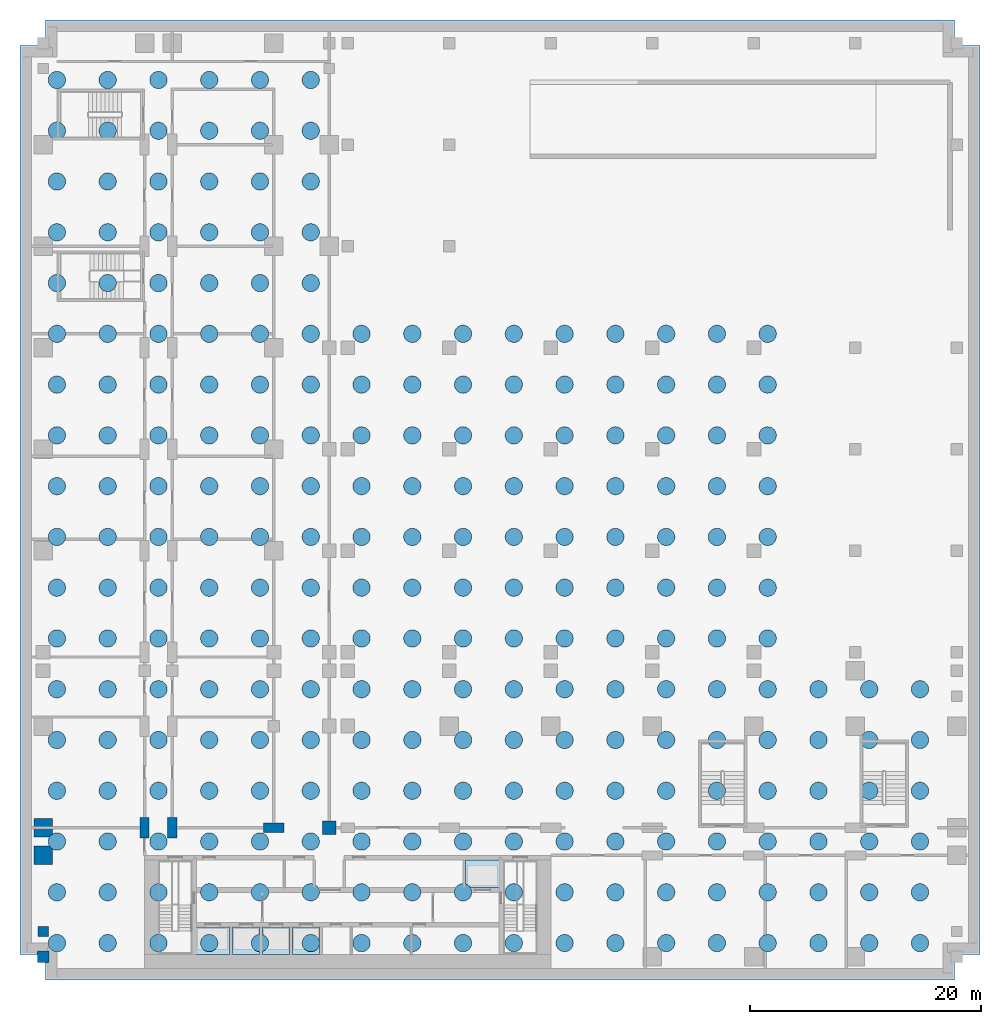
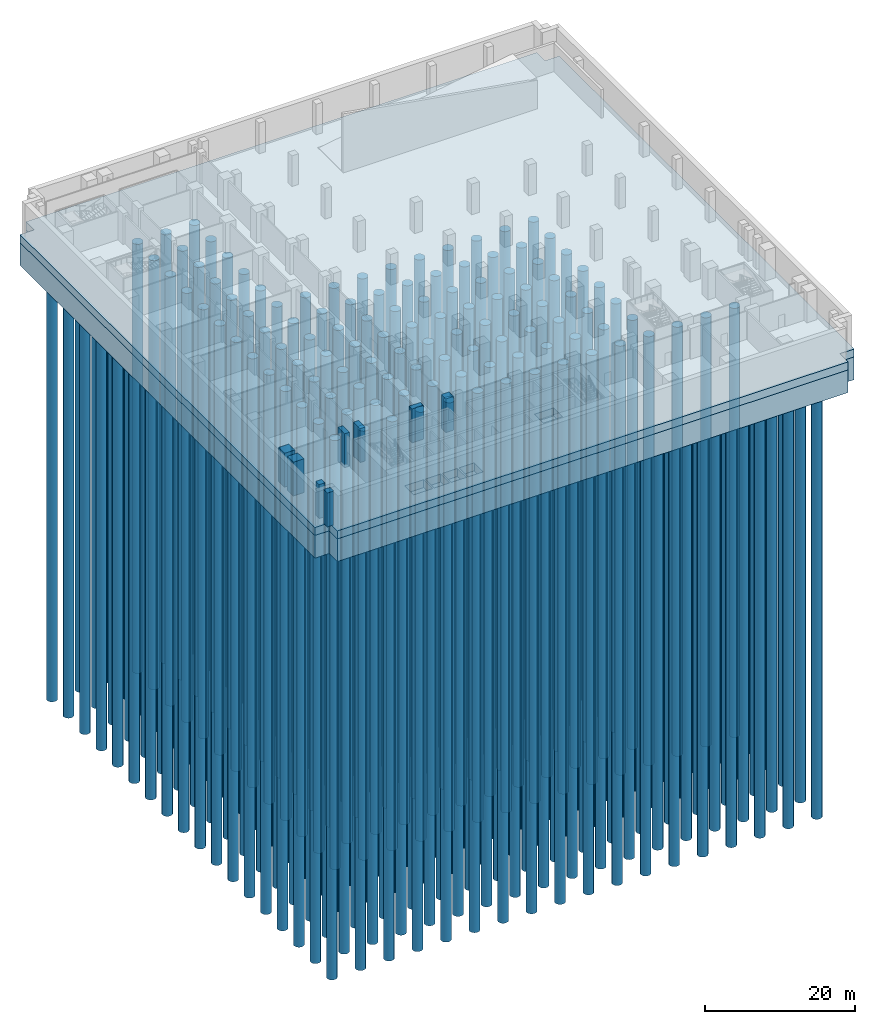
# One storey, part 1 of 14: 243 piles, 8 columns, 2 footings.
"""IFC4 building model written with IfcOpenShell, lengths in metres."""

from ifc_helpers import new_model, si_unit, direction, frame, origin, origin_2d, place, context, subcontext, project, spatial, polyline, rectangle, circle, outline, extrude, material, material_profile, profile_set, type_object, element, save


model = new_model("IFC4")

# Units and contexts
model_context = context("Model", 3, precision=1e-05, world=origin(), true_north=direction((0.0, 1.0)))
body_context = subcontext(model_context, "Body", "Model", "MODEL_VIEW")
ifc_project = project(units=[si_unit("LENGTHUNIT", "METRE"), si_unit("AREAUNIT", "SQUARE_METRE"), si_unit("VOLUMEUNIT", "CUBIC_METRE"), si_unit("PLANEANGLEUNIT", "RADIAN"), si_unit("MASSUNIT", "GRAM", prefix="KILO")], contexts=[model_context])

# Site, building, storey
site_placement = place(None, origin())
site = spatial("IfcSite", under=ifc_project, at=site_placement, CompositionType="ELEMENT")
building_placement = place(site_placement, origin())
building = spatial("IfcBuilding", under=site, at=building_placement, Name="Kemantara Hotel Tower", CompositionType="ELEMENT")
storey_placement = place(building_placement, frame((0.0, 0.0, -17.0)))
storey = spatial("IfcBuildingStorey", under=building, at=storey_placement, Name="B3", CompositionType="ELEMENT", Elevation=-17.0)

# Piles
ifc_material_1 = material(Name="Concrete fc 35 MPa", Category="concrete")
ifc_material_profile_1 = material_profile(ifc_material_1, circle(Radius=0.75, at=origin_2d()), Name="BORED PILE D1500")
ifc_profile_set_1 = profile_set([ifc_material_profile_1], Name="Concrete fc 35 MPa")
pile_type = type_object("IfcPileType", Name="BORED PILE D1500", PredefinedType="BORED", material=ifc_profile_set_1)
for number, where, z_axis, x_axis, name in (
    (1, (2.199951171875, 2.199951171875, -5.5), (0.0, 0.0, -1.0), (1.0, 0.0, 0.0), "BORED PILE 1"),
    (2, (2.199951171875, 6.60009765625, -5.5), (0.0, 0.0, -1.0), (1.0, 0.0, 0.0), "BORED PILE 2"),
    (3, (2.199951171875, 11.0, -5.5), (0.0, 0.0, -1.0), (1.0, 0.0, 0.0), "BORED PILE 3"),
    (4, (2.199951171875, 15.39990234375, -5.5), (0.0, 0.0, -1.0), (1.0, 0.0, 0.0), "BORED PILE 4"),
    (5, (2.199951171875, 19.800048828125, -5.5), (0.0, 0.0, -1.0), (1.0, 0.0, 0.0), "BORED PILE 5"),
    (6, (2.199951171875, 24.199951171875, -5.5), (0.0, 0.0, -1.0), (1.0, 0.0, 0.0), "BORED PILE 6"),
    (7, (2.199951171875, 28.60009765625, -5.5), (0.0, 0.0, -1.0), (1.0, 0.0, 0.0), "BORED PILE 7"),
    (8, (2.199951171875, 33.0, -5.5), (0.0, 0.0, -1.0), (1.0, 0.0, 0.0), "BORED PILE 8"),
    (9, (2.199951171875, 37.39990234375, -5.5), (0.0, 0.0, -1.0), (1.0, 0.0, 0.0), "BORED PILE 9"),
    (10, (2.199951171875, 41.800048828125, -5.5), (0.0, 0.0, -1.0), (1.0, 0.0, 0.0), "BORED PILE 10"),
    (11, (2.199951171875, 46.199951171875, -5.5), (0.0, 0.0, -1.0), (1.0, 0.0, 0.0), "BORED PILE 11"),
    (12, (2.199951171875, 50.60009765625, -5.5), (0.0, 0.0, -1.0), (1.0, 0.0, 0.0), "BORED PILE 12"),
    (13, (2.199951171875, 55.0, -5.5), (0.0, 0.0, -1.0), (1.0, 0.0, 0.0), "BORED PILE 13"),
    (14, (2.199951171875, 59.39990234375, -5.5), (0.0, 0.0, -1.0), (1.0, 0.0, 0.0), "BORED PILE 14"),
    (15, (2.199951171875, 63.800048828125, -5.5), (0.0, 0.0, -1.0), (1.0, 0.0, 0.0), "BORED PILE 15"),
    (16, (2.199951171875, 68.199951171875, -5.5), (0.0, 0.0, -1.0), (1.0, 0.0, 0.0), "BORED PILE 16"),
    (17, (2.199951171875, 72.60009765625, -5.5), (0.0, 0.0, -1.0), (1.0, 0.0, 0.0), "BORED PILE 17"),
    (18, (2.199951171875, 77.0, -5.5), (0.0, 0.0, -1.0), (1.0, 0.0, 0.0), "BORED PILE 18"),
    (19, (6.60009765625, 2.199951171875, -5.5), (0.0, 0.0, -1.0), (1.0, 0.0, 0.0), "BORED PILE 19"),
    (20, (6.60009765625, 6.60009765625, -5.5), (0.0, 0.0, -1.0), (1.0, 0.0, 0.0), "BORED PILE 20"),
    (21, (6.60009765625, 11.0, -5.5), (0.0, 0.0, -1.0), (1.0, 0.0, 0.0), "BORED PILE 21"),
    (22, (6.60009765625, 15.39990234375, -5.5), (0.0, 0.0, -1.0), (1.0, 0.0, 0.0), "BORED PILE 22"),
    (23, (6.60009765625, 19.800048828125, -5.5), (0.0, 0.0, -1.0), (1.0, 0.0, 0.0), "BORED PILE 23"),
    (24, (6.60009765625, 24.199951171875, -5.5), (0.0, 0.0, -1.0), (1.0, 0.0, 0.0), "BORED PILE 24"),
    (25, (6.60009765625, 28.60009765625, -5.5), (0.0, 0.0, -1.0), (1.0, 0.0, 0.0), "BORED PILE 25"),
    (26, (6.60009765625, 33.0, -5.5), (0.0, 0.0, -1.0), (1.0, 0.0, 0.0), "BORED PILE 26"),
    (27, (6.60009765625, 37.39990234375, -5.5), (0.0, 0.0, -1.0), (1.0, 0.0, 0.0), "BORED PILE 27"),
    (28, (6.60009765625, 41.800048828125, -5.5), (0.0, 0.0, -1.0), (1.0, 0.0, 0.0), "BORED PILE 28"),
    (29, (6.60009765625, 46.199951171875, -5.5), (0.0, 0.0, -1.0), (1.0, 0.0, 0.0), "BORED PILE 29"),
    (30, (6.60009765625, 50.60009765625, -5.5), (0.0, 0.0, -1.0), (1.0, 0.0, 0.0), "BORED PILE 30"),
    (31, (6.60009765625, 55.0, -5.5), (0.0, 0.0, -1.0), (1.0, 0.0, 0.0), "BORED PILE 31"),
    (32, (6.60009765625, 59.39990234375, -5.5), (0.0, 0.0, -1.0), (1.0, 0.0, 0.0), "BORED PILE 32"),
    (33, (6.60009765625, 63.800048828125, -5.5), (0.0, 0.0, -1.0), (1.0, 0.0, 0.0), "BORED PILE 33"),
    (34, (6.60009765625, 68.199951171875, -5.5), (0.0, 0.0, -1.0), (1.0, 0.0, 0.0), "BORED PILE 34"),
    (35, (6.60009765625, 72.60009765625, -5.5), (0.0, 0.0, -1.0), (1.0, 0.0, 0.0), "BORED PILE 35"),
    (36, (6.60009765625, 77.0, -5.5), (0.0, 0.0, -1.0), (1.0, 0.0, 0.0), "BORED PILE 36"),
    (37, (11.0, 2.199951171875, -5.5), (0.0, 0.0, -1.0), (1.0, 0.0, 0.0), "BORED PILE 37"),
    (38, (11.0, 6.60009765625, -5.5), (0.0, 0.0, -1.0), (1.0, 0.0, 0.0), "BORED PILE 38"),
    (39, (11.0, 11.0, -5.5), (0.0, 0.0, -1.0), (1.0, 0.0, 0.0), "BORED PILE 39"),
    (40, (11.0, 15.39990234375, -5.5), (0.0, 0.0, -1.0), (1.0, 0.0, 0.0), "BORED PILE 40"),
    (41, (11.0, 19.800048828125, -5.5), (0.0, 0.0, -1.0), (1.0, 0.0, 0.0), "BORED PILE 41"),
    (42, (11.0, 24.199951171875, -5.5), (0.0, 0.0, -1.0), (1.0, 0.0, 0.0), "BORED PILE 42"),
    (43, (11.0, 28.60009765625, -5.5), (0.0, 0.0, -1.0), (1.0, 0.0, 0.0), "BORED PILE 43"),
    (44, (11.0, 33.0, -5.5), (0.0, 0.0, -1.0), (1.0, 0.0, 0.0), "BORED PILE 44"),
    (45, (11.0, 37.39990234375, -5.5), (0.0, 0.0, -1.0), (1.0, 0.0, 0.0), "BORED PILE 45"),
    (46, (11.0, 41.800048828125, -5.5), (0.0, 0.0, -1.0), (1.0, 0.0, 0.0), "BORED PILE 46"),
    (47, (11.0, 46.199951171875, -5.5), (0.0, 0.0, -1.0), (1.0, 0.0, 0.0), "BORED PILE 47"),
    (48, (11.0, 50.60009765625, -5.5), (0.0, 0.0, -1.0), (1.0, 0.0, 0.0), "BORED PILE 48"),
    (49, (11.0, 55.0, -5.5), (0.0, 0.0, -1.0), (1.0, 0.0, 0.0), "BORED PILE 49"),
    (50, (11.0, 59.39990234375, -5.5), (0.0, 0.0, -1.0), (1.0, 0.0, 0.0), "BORED PILE 50"),
    (51, (11.0, 63.800048828125, -5.5), (0.0, 0.0, -1.0), (1.0, 0.0, 0.0), "BORED PILE 51"),
    (52, (11.0, 68.199951171875, -5.5), (0.0, 0.0, -1.0), (1.0, 0.0, 0.0), "BORED PILE 52"),
    (53, (11.0, 72.60009765625, -5.5), (0.0, 0.0, -1.0), (1.0, 0.0, 0.0), "BORED PILE 53"),
    (54, (11.0, 77.0, -5.5), (0.0, 0.0, -1.0), (1.0, 0.0, 0.0), "BORED PILE 54"),
    (55, (15.39990234375, 2.199951171875, -5.5), (0.0, 0.0, -1.0), (1.0, 0.0, 0.0), "BORED PILE 55"),
    (56, (15.39990234375, 6.60009765625, -5.5), (0.0, 0.0, -1.0), (1.0, 0.0, 0.0), "BORED PILE 56"),
    (57, (15.39990234375, 11.0, -5.5), (0.0, 0.0, -1.0), (1.0, 0.0, 0.0), "BORED PILE 57"),
    (58, (15.39990234375, 15.39990234375, -5.5), (0.0, 0.0, -1.0), (1.0, 0.0, 0.0), "BORED PILE 58"),
    (59, (15.39990234375, 19.800048828125, -5.5), (0.0, 0.0, -1.0), (1.0, 0.0, 0.0), "BORED PILE 59"),
    (60, (15.39990234375, 24.199951171875, -5.5), (0.0, 0.0, -1.0), (1.0, 0.0, 0.0), "BORED PILE 60"),
    (61, (15.39990234375, 28.60009765625, -5.5), (0.0, 0.0, -1.0), (1.0, 0.0, 0.0), "BORED PILE 61"),
    (62, (15.39990234375, 33.0, -5.5), (0.0, 0.0, -1.0), (1.0, 0.0, 0.0), "BORED PILE 62"),
    (63, (15.39990234375, 37.39990234375, -5.5), (0.0, 0.0, -1.0), (1.0, 0.0, 0.0), "BORED PILE 63"),
    (64, (15.39990234375, 41.800048828125, -5.5), (0.0, 0.0, -1.0), (1.0, 0.0, 0.0), "BORED PILE 64"),
    (65, (15.39990234375, 46.199951171875, -5.5), (0.0, 0.0, -1.0), (1.0, 0.0, 0.0), "BORED PILE 65"),
    (66, (15.39990234375, 50.60009765625, -5.5), (0.0, 0.0, -1.0), (1.0, 0.0, 0.0), "BORED PILE 66"),
    (67, (15.39990234375, 55.0, -5.5), (0.0, 0.0, -1.0), (1.0, 0.0, 0.0), "BORED PILE 67"),
    (68, (15.39990234375, 59.39990234375, -5.5), (0.0, 0.0, -1.0), (1.0, 0.0, 0.0), "BORED PILE 68"),
    (69, (15.39990234375, 63.800048828125, -5.5), (0.0, 0.0, -1.0), (1.0, 0.0, 0.0), "BORED PILE 69"),
    (70, (15.39990234375, 68.199951171875, -5.5), (0.0, 0.0, -1.0), (1.0, 0.0, 0.0), "BORED PILE 70"),
    (71, (15.39990234375, 72.60009765625, -5.5), (0.0, 0.0, -1.0), (1.0, 0.0, 0.0), "BORED PILE 71"),
    (72, (15.39990234375, 77.0, -5.5), (0.0, 0.0, -1.0), (1.0, 0.0, 0.0), "BORED PILE 72"),
    (73, (19.800048828125, 2.199951171875, -5.5), (0.0, 0.0, -1.0), (1.0, 0.0, 0.0), "BORED PILE 73"),
    (74, (19.800048828125, 6.60009765625, -5.5), (0.0, 0.0, -1.0), (1.0, 0.0, 0.0), "BORED PILE 74"),
    (75, (19.800048828125, 11.0, -5.5), (0.0, 0.0, -1.0), (1.0, 0.0, 0.0), "BORED PILE 75"),
    (76, (19.800048828125, 15.39990234375, -5.5), (0.0, 0.0, -1.0), (1.0, 0.0, 0.0), "BORED PILE 76"),
    (77, (19.800048828125, 19.800048828125, -5.5), (0.0, 0.0, -1.0), (1.0, 0.0, 0.0), "BORED PILE 77"),
    (78, (19.800048828125, 24.199951171875, -5.5), (0.0, 0.0, -1.0), (1.0, 0.0, 0.0), "BORED PILE 78"),
    (79, (19.800048828125, 28.60009765625, -5.5), (0.0, 0.0, -1.0), (1.0, 0.0, 0.0), "BORED PILE 79"),
    (80, (19.800048828125, 33.0, -5.5), (0.0, 0.0, -1.0), (1.0, 0.0, 0.0), "BORED PILE 80"),
    (81, (19.800048828125, 37.39990234375, -5.5), (0.0, 0.0, -1.0), (1.0, 0.0, 0.0), "BORED PILE 81"),
    (82, (19.800048828125, 41.800048828125, -5.5), (0.0, 0.0, -1.0), (1.0, 0.0, 0.0), "BORED PILE 82"),
    (83, (19.800048828125, 46.199951171875, -5.5), (0.0, 0.0, -1.0), (1.0, 0.0, 0.0), "BORED PILE 83"),
    (84, (19.800048828125, 50.60009765625, -5.5), (0.0, 0.0, -1.0), (1.0, 0.0, 0.0), "BORED PILE 84"),
    (85, (19.800048828125, 55.0, -5.5), (0.0, 0.0, -1.0), (1.0, 0.0, 0.0), "BORED PILE 85"),
    (86, (19.800048828125, 59.39990234375, -5.5), (0.0, 0.0, -1.0), (1.0, 0.0, 0.0), "BORED PILE 86"),
    (87, (19.800048828125, 63.800048828125, -5.5), (0.0, 0.0, -1.0), (1.0, 0.0, 0.0), "BORED PILE 87"),
    (88, (19.800048828125, 68.199951171875, -5.5), (0.0, 0.0, -1.0), (1.0, 0.0, 0.0), "BORED PILE 88"),
    (89, (19.800048828125, 72.60009765625, -5.5), (0.0, 0.0, -1.0), (1.0, 0.0, 0.0), "BORED PILE 89"),
    (90, (19.800048828125, 77.0, -5.5), (0.0, 0.0, -1.0), (1.0, 0.0, 0.0), "BORED PILE 90"),
    (91, (24.199951171875, 2.199951171875, -5.5), (0.0, 0.0, -1.0), (1.0, 0.0, 0.0), "BORED PILE 91"),
    (92, (24.199951171875, 6.60009765625, -5.5), (0.0, 0.0, -1.0), (1.0, 0.0, 0.0), "BORED PILE 92"),
    (93, (24.199951171875, 11.0, -5.5), (0.0, 0.0, -1.0), (1.0, 0.0, 0.0), "BORED PILE 93"),
    (94, (24.199951171875, 15.39990234375, -5.5), (0.0, 0.0, -1.0), (1.0, 0.0, 0.0), "BORED PILE 94"),
    (95, (24.199951171875, 19.800048828125, -5.5), (0.0, 0.0, -1.0), (1.0, 0.0, 0.0), "BORED PILE 95"),
    (96, (24.199951171875, 24.199951171875, -5.5), (0.0, 0.0, -1.0), (1.0, 0.0, 0.0), "BORED PILE 96"),
    (97, (24.199951171875, 28.60009765625, -5.5), (0.0, 0.0, -1.0), (1.0, 0.0, 0.0), "BORED PILE 97"),
    (98, (24.199951171875, 33.0, -5.5), (0.0, 0.0, -1.0), (1.0, 0.0, 0.0), "BORED PILE 98"),
    (99, (24.199951171875, 37.39990234375, -5.5), (0.0, 0.0, -1.0), (1.0, 0.0, 0.0), "BORED PILE 99"),
    (100, (24.199951171875, 41.800048828125, -5.5), (0.0, 0.0, -1.0), (1.0, 0.0, 0.0), "BORED PILE 100"),
    (101, (24.199951171875, 46.199951171875, -5.5), (0.0, 0.0, -1.0), (1.0, 0.0, 0.0), "BORED PILE 101"),
    (102, (24.199951171875, 50.60009765625, -5.5), (0.0, 0.0, -1.0), (1.0, 0.0, 0.0), "BORED PILE 102"),
    (103, (24.199951171875, 55.0, -5.5), (0.0, 0.0, -1.0), (1.0, 0.0, 0.0), "BORED PILE 103"),
    (104, (24.199951171875, 59.39990234375, -5.5), (0.0, 0.0, -1.0), (1.0, 0.0, 0.0), "BORED PILE 104"),
    (105, (24.199951171875, 63.800048828125, -5.5), (0.0, 0.0, -1.0), (1.0, 0.0, 0.0), "BORED PILE 105"),
    (106, (24.199951171875, 68.199951171875, -5.5), (0.0, 0.0, -1.0), (1.0, 0.0, 0.0), "BORED PILE 106"),
    (107, (24.199951171875, 72.60009765625, -5.5), (0.0, 0.0, -1.0), (1.0, 0.0, 0.0), "BORED PILE 107"),
    (108, (24.199951171875, 77.0, -5.5), (0.0, 0.0, -1.0), (1.0, 0.0, 0.0), "BORED PILE 108"),
    (109, (28.60009765625, 2.199951171875, -5.5), (0.0, 0.0, -1.0), (1.0, 0.0, 0.0), "BORED PILE 109"),
    (110, (28.60009765625, 6.60009765625, -5.5), (0.0, 0.0, -1.0), (1.0, 0.0, 0.0), "BORED PILE 110"),
    (111, (28.60009765625, 11.0, -5.5), (0.0, 0.0, -1.0), (1.0, 0.0, 0.0), "BORED PILE 111"),
    (112, (28.60009765625, 15.39990234375, -5.5), (0.0, 0.0, -1.0), (1.0, 0.0, 0.0), "BORED PILE 112"),
    (113, (28.60009765625, 19.800048828125, -5.5), (0.0, 0.0, -1.0), (1.0, 0.0, 0.0), "BORED PILE 113"),
    (114, (28.60009765625, 24.199951171875, -5.5), (0.0, 0.0, -1.0), (1.0, 0.0, 0.0), "BORED PILE 114"),
    (115, (28.60009765625, 28.60009765625, -5.5), (0.0, 0.0, -1.0), (1.0, 0.0, 0.0), "BORED PILE 115"),
    (116, (28.60009765625, 33.0, -5.5), (0.0, 0.0, -1.0), (1.0, 0.0, 0.0), "BORED PILE 116"),
    (117, (28.60009765625, 37.39990234375, -5.5), (0.0, 0.0, -1.0), (1.0, 0.0, 0.0), "BORED PILE 117"),
    (118, (28.60009765625, 41.800048828125, -5.5), (0.0, 0.0, -1.0), (1.0, 0.0, 0.0), "BORED PILE 118"),
    (119, (28.60009765625, 46.199951171875, -5.5), (0.0, 0.0, -1.0), (1.0, 0.0, 0.0), "BORED PILE 119"),
    (120, (28.60009765625, 50.60009765625, -5.5), (0.0, 0.0, -1.0), (1.0, 0.0, 0.0), "BORED PILE 120"),
    (121, (28.60009765625, 55.0, -5.5), (0.0, 0.0, -1.0), (1.0, 0.0, 0.0), "BORED PILE 121"),
    (122, (33.0, 2.199951171875, -5.5), (0.0, 0.0, -1.0), (1.0, 0.0, 0.0), "BORED PILE 122"),
    (123, (33.0, 6.60009765625, -5.5), (0.0, 0.0, -1.0), (1.0, 0.0, 0.0), "BORED PILE 123"),
    (124, (33.0, 11.0, -5.5), (0.0, 0.0, -1.0), (1.0, 0.0, 0.0), "BORED PILE 124"),
    (125, (33.0, 15.39990234375, -5.5), (0.0, 0.0, -1.0), (1.0, 0.0, 0.0), "BORED PILE 125"),
    (126, (33.0, 19.800048828125, -5.5), (0.0, 0.0, -1.0), (1.0, 0.0, 0.0), "BORED PILE 126"),
    (127, (33.0, 24.199951171875, -5.5), (0.0, 0.0, -1.0), (1.0, 0.0, 0.0), "BORED PILE 127"),
    (128, (33.0, 28.60009765625, -5.5), (0.0, 0.0, -1.0), (1.0, 0.0, 0.0), "BORED PILE 128"),
    (129, (33.0, 33.0, -5.5), (0.0, 0.0, -1.0), (1.0, 0.0, 0.0), "BORED PILE 129"),
    (130, (33.0, 37.39990234375, -5.5), (0.0, 0.0, -1.0), (1.0, 0.0, 0.0), "BORED PILE 130"),
    (131, (33.0, 41.800048828125, -5.5), (0.0, 0.0, -1.0), (1.0, 0.0, 0.0), "BORED PILE 131"),
    (132, (33.0, 46.199951171875, -5.5), (0.0, 0.0, -1.0), (1.0, 0.0, 0.0), "BORED PILE 132"),
    (133, (33.0, 50.60009765625, -5.5), (0.0, 0.0, -1.0), (1.0, 0.0, 0.0), "BORED PILE 133"),
    (134, (33.0, 55.0, -5.5), (0.0, 0.0, -1.0), (1.0, 0.0, 0.0), "BORED PILE 134"),
    (135, (37.39990234375, 2.199951171875, -5.5), (0.0, 0.0, -1.0), (1.0, 0.0, 0.0), "BORED PILE 135"),
    (136, (37.39990234375, 6.60009765625, -5.5), (0.0, 0.0, -1.0), (1.0, 0.0, 0.0), "BORED PILE 136"),
    (137, (37.39990234375, 11.0, -5.5), (0.0, 0.0, -1.0), (1.0, 0.0, 0.0), "BORED PILE 137"),
    (138, (37.39990234375, 15.39990234375, -5.5), (0.0, 0.0, -1.0), (1.0, 0.0, 0.0), "BORED PILE 138"),
    (139, (37.39990234375, 19.800048828125, -5.5), (0.0, 0.0, -1.0), (1.0, 0.0, 0.0), "BORED PILE 139"),
    (140, (37.39990234375, 24.199951171875, -5.5), (0.0, 0.0, -1.0), (1.0, 0.0, 0.0), "BORED PILE 140"),
    (141, (37.39990234375, 28.60009765625, -5.5), (0.0, 0.0, -1.0), (1.0, 0.0, 0.0), "BORED PILE 141"),
    (142, (37.39990234375, 33.0, -5.5), (0.0, 0.0, -1.0), (1.0, 0.0, 0.0), "BORED PILE 142"),
    (143, (37.39990234375, 37.39990234375, -5.5), (0.0, 0.0, -1.0), (1.0, 0.0, 0.0), "BORED PILE 143"),
    (144, (37.39990234375, 41.800048828125, -5.5), (0.0, 0.0, -1.0), (1.0, 0.0, 0.0), "BORED PILE 144"),
    (145, (37.39990234375, 46.199951171875, -5.5), (0.0, 0.0, -1.0), (1.0, 0.0, 0.0), "BORED PILE 145"),
    (146, (37.39990234375, 50.60009765625, -5.5), (0.0, 0.0, -1.0), (1.0, 0.0, 0.0), "BORED PILE 146"),
    (147, (37.39990234375, 55.0, -5.5), (0.0, 0.0, -1.0), (1.0, 0.0, 0.0), "BORED PILE 147"),
    (148, (41.800048828125, 2.199951171875, -5.5), (0.0, 0.0, -1.0), (1.0, 0.0, 0.0), "BORED PILE 148"),
    (149, (41.800048828125, 6.60009765625, -5.5), (0.0, 0.0, -1.0), (1.0, 0.0, 0.0), "BORED PILE 149"),
    (150, (41.800048828125, 11.0, -5.5), (0.0, 0.0, -1.0), (1.0, 0.0, 0.0), "BORED PILE 150"),
    (151, (41.800048828125, 15.39990234375, -5.5), (0.0, 0.0, -1.0), (1.0, 0.0, 0.0), "BORED PILE 151"),
    (152, (41.800048828125, 19.800048828125, -5.5), (0.0, 0.0, -1.0), (1.0, 0.0, 0.0), "BORED PILE 152"),
    (153, (41.800048828125, 24.199951171875, -5.5), (0.0, 0.0, -1.0), (1.0, 0.0, 0.0), "BORED PILE 153"),
    (154, (41.800048828125, 28.60009765625, -5.5), (0.0, 0.0, -1.0), (1.0, 0.0, 0.0), "BORED PILE 154"),
    (155, (41.800048828125, 33.0, -5.5), (0.0, 0.0, -1.0), (1.0, 0.0, 0.0), "BORED PILE 155"),
    (156, (41.800048828125, 37.39990234375, -5.5), (0.0, 0.0, -1.0), (1.0, 0.0, 0.0), "BORED PILE 156"),
    (157, (41.800048828125, 41.800048828125, -5.5), (0.0, 0.0, -1.0), (1.0, 0.0, 0.0), "BORED PILE 157"),
    (158, (41.800048828125, 46.199951171875, -5.5), (0.0, 0.0, -1.0), (1.0, 0.0, 0.0), "BORED PILE 158"),
    (159, (41.800048828125, 50.60009765625, -5.5), (0.0, 0.0, -1.0), (1.0, 0.0, 0.0), "BORED PILE 159"),
    (160, (41.800048828125, 55.0, -5.5), (0.0, 0.0, -1.0), (1.0, 0.0, 0.0), "BORED PILE 160"),
    (161, (46.199951171875, 2.199951171875, -5.5), (0.0, 0.0, -1.0), (1.0, 0.0, 0.0), "BORED PILE 161"),
    (162, (46.199951171875, 6.60009765625, -5.5), (0.0, 0.0, -1.0), (1.0, 0.0, 0.0), "BORED PILE 162"),
    (163, (46.199951171875, 11.0, -5.5), (0.0, 0.0, -1.0), (1.0, 0.0, 0.0), "BORED PILE 163"),
    (164, (46.199951171875, 15.39990234375, -5.5), (0.0, 0.0, -1.0), (1.0, 0.0, 0.0), "BORED PILE 164"),
    (165, (46.199951171875, 19.800048828125, -5.5), (0.0, 0.0, -1.0), (1.0, 0.0, 0.0), "BORED PILE 165"),
    (166, (46.199951171875, 24.199951171875, -5.5), (0.0, 0.0, -1.0), (1.0, 0.0, 0.0), "BORED PILE 166"),
    (167, (46.199951171875, 28.60009765625, -5.5), (0.0, 0.0, -1.0), (1.0, 0.0, 0.0), "BORED PILE 167"),
    (168, (46.199951171875, 33.0, -5.5), (0.0, 0.0, -1.0), (1.0, 0.0, 0.0), "BORED PILE 168"),
    (169, (46.199951171875, 37.39990234375, -5.5), (0.0, 0.0, -1.0), (1.0, 0.0, 0.0), "BORED PILE 169"),
    (170, (46.199951171875, 41.800048828125, -5.5), (0.0, 0.0, -1.0), (1.0, 0.0, 0.0), "BORED PILE 170"),
    (171, (46.199951171875, 46.199951171875, -5.5), (0.0, 0.0, -1.0), (1.0, 0.0, 0.0), "BORED PILE 171"),
    (172, (46.199951171875, 50.60009765625, -5.5), (0.0, 0.0, -1.0), (1.0, 0.0, 0.0), "BORED PILE 172"),
    (173, (46.199951171875, 55.0, -5.5), (0.0, 0.0, -1.0), (1.0, 0.0, 0.0), "BORED PILE 173"),
    (174, (50.60009765625, 2.199951171875, -5.5), (0.0, 0.0, -1.0), (1.0, 0.0, 0.0), "BORED PILE 174"),
    (175, (50.60009765625, 6.60009765625, -5.5), (0.0, 0.0, -1.0), (1.0, 0.0, 0.0), "BORED PILE 175"),
    (176, (50.60009765625, 11.0, -5.5), (0.0, 0.0, -1.0), (1.0, 0.0, 0.0), "BORED PILE 176"),
    (177, (50.60009765625, 15.39990234375, -5.5), (0.0, 0.0, -1.0), (1.0, 0.0, 0.0), "BORED PILE 177"),
    (178, (50.60009765625, 19.800048828125, -5.5), (0.0, 0.0, -1.0), (1.0, 0.0, 0.0), "BORED PILE 178"),
    (179, (50.60009765625, 24.199951171875, -5.5), (0.0, 0.0, -1.0), (1.0, 0.0, 0.0), "BORED PILE 179"),
    (180, (50.60009765625, 28.60009765625, -5.5), (0.0, 0.0, -1.0), (1.0, 0.0, 0.0), "BORED PILE 180"),
    (181, (50.60009765625, 33.0, -5.5), (0.0, 0.0, -1.0), (1.0, 0.0, 0.0), "BORED PILE 181"),
    (182, (50.60009765625, 37.39990234375, -5.5), (0.0, 0.0, -1.0), (1.0, 0.0, 0.0), "BORED PILE 182"),
    (183, (50.60009765625, 41.800048828125, -5.5), (0.0, 0.0, -1.0), (1.0, 0.0, 0.0), "BORED PILE 183"),
    (184, (50.60009765625, 46.199951171875, -5.5), (0.0, 0.0, -1.0), (1.0, 0.0, 0.0), "BORED PILE 184"),
    (185, (50.60009765625, 50.60009765625, -5.5), (0.0, 0.0, -1.0), (1.0, 0.0, 0.0), "BORED PILE 185"),
    (186, (50.60009765625, 55.0, -5.5), (0.0, 0.0, -1.0), (1.0, 0.0, 0.0), "BORED PILE 186"),
    (187, (55.0, 2.199951171875, -5.5), (0.0, 0.0, -1.0), (1.0, 0.0, 0.0), "BORED PILE 187"),
    (188, (55.0, 6.60009765625, -5.5), (0.0, 0.0, -1.0), (1.0, 0.0, 0.0), "BORED PILE 188"),
    (189, (55.0, 11.0, -5.5), (0.0, 0.0, -1.0), (1.0, 0.0, 0.0), "BORED PILE 189"),
    (190, (55.0, 15.39990234375, -5.5), (0.0, 0.0, -1.0), (1.0, 0.0, 0.0), "BORED PILE 190"),
    (191, (55.0, 19.800048828125, -5.5), (0.0, 0.0, -1.0), (1.0, 0.0, 0.0), "BORED PILE 191"),
    (192, (55.0, 24.199951171875, -5.5), (0.0, 0.0, -1.0), (1.0, 0.0, 0.0), "BORED PILE 192"),
    (193, (55.0, 28.60009765625, -5.5), (0.0, 0.0, -1.0), (1.0, 0.0, 0.0), "BORED PILE 193"),
    (194, (55.0, 33.0, -5.5), (0.0, 0.0, -1.0), (1.0, 0.0, 0.0), "BORED PILE 194"),
    (195, (55.0, 37.39990234375, -5.5), (0.0, 0.0, -1.0), (1.0, 0.0, 0.0), "BORED PILE 195"),
    (196, (55.0, 41.800048828125, -5.5), (0.0, 0.0, -1.0), (1.0, 0.0, 0.0), "BORED PILE 196"),
    (197, (55.0, 46.199951171875, -5.5), (0.0, 0.0, -1.0), (1.0, 0.0, 0.0), "BORED PILE 197"),
    (198, (55.0, 50.60009765625, -5.5), (0.0, 0.0, -1.0), (1.0, 0.0, 0.0), "BORED PILE 198"),
    (199, (55.0, 55.0, -5.5), (0.0, 0.0, -1.0), (1.0, 0.0, 0.0), "BORED PILE 199"),
    (200, (59.39990234375, 2.199951171875, -5.5), (0.0, 0.0, -1.0), (1.0, 0.0, 0.0), "BORED PILE 200"),
    (201, (59.39990234375, 6.60009765625, -5.5), (0.0, 0.0, -1.0), (1.0, 0.0, 0.0), "BORED PILE 201"),
    (202, (59.39990234375, 11.0, -5.5), (0.0, 0.0, -1.0), (1.0, 0.0, 0.0), "BORED PILE 202"),
    (203, (59.39990234375, 15.39990234375, -5.5), (0.0, 0.0, -1.0), (1.0, 0.0, 0.0), "BORED PILE 203"),
    (204, (59.39990234375, 19.800048828125, -5.5), (0.0, 0.0, -1.0), (1.0, 0.0, 0.0), "BORED PILE 204"),
    (205, (59.39990234375, 24.199951171875, -5.5), (0.0, 0.0, -1.0), (1.0, 0.0, 0.0), "BORED PILE 205"),
    (206, (59.39990234375, 28.60009765625, -5.5), (0.0, 0.0, -1.0), (1.0, 0.0, 0.0), "BORED PILE 206"),
    (207, (59.39990234375, 33.0, -5.5), (0.0, 0.0, -1.0), (1.0, 0.0, 0.0), "BORED PILE 207"),
    (208, (59.39990234375, 37.39990234375, -5.5), (0.0, 0.0, -1.0), (1.0, 0.0, 0.0), "BORED PILE 208"),
    (209, (59.39990234375, 41.800048828125, -5.5), (0.0, 0.0, -1.0), (1.0, 0.0, 0.0), "BORED PILE 209"),
    (210, (59.39990234375, 46.199951171875, -5.5), (0.0, 0.0, -1.0), (1.0, 0.0, 0.0), "BORED PILE 210"),
    (211, (59.39990234375, 50.60009765625, -5.5), (0.0, 0.0, -1.0), (1.0, 0.0, 0.0), "BORED PILE 211"),
    (212, (59.39990234375, 55.0, -5.5), (0.0, 0.0, -1.0), (1.0, 0.0, 0.0), "BORED PILE 212"),
    (213, (63.800048828125, 2.199951171875, -5.5), (0.0, 0.0, -1.0), (1.0, 0.0, 0.0), "BORED PILE 213"),
    (214, (63.800048828125, 6.60009765625, -5.5), (0.0, 0.0, -1.0), (1.0, 0.0, 0.0), "BORED PILE 214"),
    (215, (63.800048828125, 11.0, -5.5), (0.0, 0.0, -1.0), (1.0, 0.0, 0.0), "BORED PILE 215"),
    (216, (63.800048828125, 15.39990234375, -5.5), (0.0, 0.0, -1.0), (1.0, 0.0, 0.0), "BORED PILE 216"),
    (217, (63.800048828125, 19.800048828125, -5.5), (0.0, 0.0, -1.0), (1.0, 0.0, 0.0), "BORED PILE 217"),
    (218, (63.800048828125, 24.199951171875, -5.5), (0.0, 0.0, -1.0), (1.0, 0.0, 0.0), "BORED PILE 218"),
    (219, (63.800048828125, 28.60009765625, -5.5), (0.0, 0.0, -1.0), (1.0, 0.0, 0.0), "BORED PILE 219"),
    (220, (63.800048828125, 33.0, -5.5), (0.0, 0.0, -1.0), (1.0, 0.0, 0.0), "BORED PILE 220"),
    (221, (63.800048828125, 37.39990234375, -5.5), (0.0, 0.0, -1.0), (1.0, 0.0, 0.0), "BORED PILE 221"),
    (222, (63.800048828125, 41.800048828125, -5.5), (0.0, 0.0, -1.0), (1.0, 0.0, 0.0), "BORED PILE 222"),
    (223, (63.800048828125, 46.199951171875, -5.5), (0.0, 0.0, -1.0), (1.0, 0.0, 0.0), "BORED PILE 223"),
    (224, (63.800048828125, 50.60009765625, -5.5), (0.0, 0.0, -1.0), (1.0, 0.0, 0.0), "BORED PILE 224"),
    (225, (63.800048828125, 55.0, -5.5), (0.0, 0.0, -1.0), (1.0, 0.0, 0.0), "BORED PILE 225"),
    (226, (68.199951171875, 2.199951171875, -5.5), (0.0, 0.0, -1.0), (1.0, 0.0, 0.0), "BORED PILE 226"),
    (227, (68.199951171875, 6.60009765625, -5.5), (0.0, 0.0, -1.0), (1.0, 0.0, 0.0), "BORED PILE 227"),
    (228, (68.199951171875, 11.0, -5.5), (0.0, 0.0, -1.0), (1.0, 0.0, 0.0), "BORED PILE 228"),
    (229, (68.199951171875, 15.39990234375, -5.5), (0.0, 0.0, -1.0), (1.0, 0.0, 0.0), "BORED PILE 229"),
    (230, (68.199951171875, 19.800048828125, -5.5), (0.0, 0.0, -1.0), (1.0, 0.0, 0.0), "BORED PILE 230"),
    (231, (68.199951171875, 24.199951171875, -5.5), (0.0, 0.0, -1.0), (1.0, 0.0, 0.0), "BORED PILE 231"),
    (232, (72.60009765625, 2.199951171875, -5.5), (0.0, 0.0, -1.0), (1.0, 0.0, 0.0), "BORED PILE 232"),
    (233, (72.60009765625, 6.60009765625, -5.5), (0.0, 0.0, -1.0), (1.0, 0.0, 0.0), "BORED PILE 233"),
    (234, (72.60009765625, 11.0, -5.5), (0.0, 0.0, -1.0), (1.0, 0.0, 0.0), "BORED PILE 234"),
    (235, (72.60009765625, 15.39990234375, -5.5), (0.0, 0.0, -1.0), (1.0, 0.0, 0.0), "BORED PILE 235"),
    (236, (72.60009765625, 19.800048828125, -5.5), (0.0, 0.0, -1.0), (1.0, 0.0, 0.0), "BORED PILE 236"),
    (237, (72.60009765625, 24.199951171875, -5.5), (0.0, 0.0, -1.0), (1.0, 0.0, 0.0), "BORED PILE 237"),
    (238, (77.0, 2.199951171875, -5.5), (0.0, 0.0, -1.0), (1.0, 0.0, 0.0), "BORED PILE 238"),
    (239, (77.0, 6.60009765625, -5.5), (0.0, 0.0, -1.0), (1.0, 0.0, 0.0), "BORED PILE 239"),
    (240, (77.0, 11.0, -5.5), (0.0, 0.0, -1.0), (1.0, 0.0, 0.0), "BORED PILE 240"),
    (241, (77.0, 15.39990234375, -5.5), (0.0, 0.0, -1.0), (1.0, 0.0, 0.0), "BORED PILE 241"),
    (242, (77.0, 19.800048828125, -5.5), (0.0, 0.0, -1.0), (1.0, 0.0, 0.0), "BORED PILE 242"),
    (243, (77.0, 24.199951171875, -5.5), (0.0, 0.0, -1.0), (1.0, 0.0, 0.0), "BORED PILE 243"),
):
    element("IfcPile", number, at=place(storey_placement, frame(where, z_axis=z_axis, x_axis=x_axis)), inside=storey, type_object=pile_type, Name=name, PredefinedType="BORED", context=body_context, shape_type="SweptSolid", body=[
        extrude(circle(Radius=0.75, at=origin_2d()), origin(), (0.0, 0.0, 1.0), 70.0),
    ])

# Footings
ifc_material_2 = material(Name="Concrete fc 40 MPa", Category="concrete")
footing_type_1 = type_object("IfcFootingType", Name="PILED RAFT LOWER POUR", PredefinedType="PAD_FOOTING", material=ifc_material_2)
footing_1_placement = place(storey_placement, frame((0.0, 0.0, -5.5)))
element("IfcFooting", 244, at=footing_1_placement, inside=storey, type_object=footing_type_1, Name="PILED RAFT LOWER POUR", PredefinedType="PAD_FOOTING", context=body_context, shape_type="SweptSolid", body=[
    extrude(outline(polyline([(82.199951171875, 80.0), (82.199951171875, 1.199951171875), (80.0, 1.199951171875), (80.0, -1.0), (1.199951171875, -1.0), (1.199951171875, 1.199951171875), (-1.0, 1.199951171875), (-1.0, 80.0), (1.199951171875, 80.0), (1.199951171875, 82.199951171875), (80.0, 82.199951171875), (80.0, 80.0), (82.199951171875, 80.0)])), origin(), (0.0, 0.0, 1.0), 3.699951171875),
])
footing_type_2 = type_object("IfcFootingType", Name="PILED RAFT UPPER POUR", PredefinedType="PAD_FOOTING", material=ifc_material_2)
footing_2_placement = place(storey_placement, frame((0.0, 0.0, -1.800048828125)))
element("IfcFooting", 245, at=footing_2_placement, inside=storey, type_object=footing_type_2, Name="PILED RAFT UPPER POUR WITH PIT RECESSES", PredefinedType="PAD_FOOTING", context=body_context, shape_type="SweptSolid", body=[
    extrude(outline(polyline([(82.199951171875, 1.199951171875), (80.0, 1.199951171875), (80.0, -1.0), (1.199951171875, -1.0), (1.199951171875, 1.199951171875), (-1.0, 1.199951171875), (-1.0, 80.0), (1.199951171875, 80.0), (1.199951171875, 82.199951171875), (80.0, 82.199951171875), (80.0, 80.0), (82.199951171875, 80.0), (82.199951171875, 1.199951171875)]), holes=[polyline([(14.22509765625, 3.60009765625), (14.22509765625, 1.199951171875), (17.175048828125, 1.199951171875), (17.175048828125, 3.60009765625), (14.22509765625, 3.60009765625)]), polyline([(17.425048828125, 3.60009765625), (17.425048828125, 1.199951171875), (19.77490234375, 1.199951171875), (19.77490234375, 3.60009765625), (17.425048828125, 3.60009765625)]), polyline([(20.02490234375, 3.60009765625), (20.02490234375, 1.199951171875), (22.375, 1.199951171875), (22.375, 3.60009765625), (20.02490234375, 3.60009765625)]), polyline([(24.97509765625, 3.60009765625), (22.625, 3.60009765625), (22.625, 1.199951171875), (24.97509765625, 1.199951171875), (24.97509765625, 3.60009765625)]), polyline([(40.574951171875, 9.39990234375), (37.625, 9.39990234375), (37.625, 7.0), (40.574951171875, 7.0), (40.574951171875, 9.39990234375)])]), origin(), (0.0, 0.0, 1.0), 1.300048828125),
])

# Columns
ifc_material_3 = material(Name="Concrete fc 70 MPa", Category="concrete")
ifc_material_profile_2 = material_profile(ifc_material_3, rectangle(XDim=1.0, YDim=1.0, at=origin_2d()), Name="RC 1000X1000")
ifc_profile_set_2 = profile_set([ifc_material_profile_2], Name="Concrete fc 70 MPa")
column_type_1 = type_object("IfcColumnType", Name="RC COLUMN 1000X1000 FC70", PredefinedType="COLUMN", material=ifc_profile_set_2)
column_1_placement = place(storey_placement, frame((1.0, 1.0, -0.5), z_axis=(0.0, 0.0, 1.0), x_axis=(1.0, 0.0, 0.0)))
element("IfcColumn", 246, at=column_1_placement, inside=storey, type_object=column_type_1, Name="COLUMN 1/A B3", PredefinedType="COLUMN", context=body_context, shape_type="SweptSolid", body=[
    extrude(rectangle(XDim=1.0, YDim=1.0, at=origin_2d()), origin(), (0.0, 0.0, 1.0), 5.5),
])
ifc_material_profile_3 = material_profile(ifc_material_3, rectangle(XDim=1.199951171875, YDim=1.199951171875, at=origin_2d()), Name="RC 1200X1200")
ifc_profile_set_3 = profile_set([ifc_material_profile_3], Name="Concrete fc 70 MPa")
column_type_2 = type_object("IfcColumnType", Name="RC COLUMN 1200X1200 FC70", PredefinedType="COLUMN", material=ifc_profile_set_3)
column_2_placement = place(storey_placement, frame((25.800048828125, 12.199951171875, -0.5), z_axis=(0.0, 0.0, 1.0), x_axis=(1.0, 0.0, 0.0)))
element("IfcColumn", 247, at=column_2_placement, inside=storey, type_object=column_type_2, Name="COLUMN 3A/BA B3", PredefinedType="COLUMN", context=body_context, shape_type="SweptSolid", body=[
    extrude(rectangle(XDim=1.199951171875, YDim=1.199951171875, at=origin_2d()), origin(), (0.0, 0.0, 1.0), 5.5),
])
ifc_material_profile_4 = material_profile(ifc_material_3, rectangle(XDim=1.60009765625, YDim=1.60009765625, at=origin_2d()), Name="RC 1600X1600")
ifc_profile_set_4 = profile_set([ifc_material_profile_4], Name="Concrete fc 70 MPa")
column_type_3 = type_object("IfcColumnType", Name="RC COLUMN 1600X1600 FC70", PredefinedType="COLUMN", material=ifc_profile_set_4)
for number, where, z_axis, x_axis, name in (
    (248, (1.0, 9.800048828125, -0.5), (0.0, 0.0, 1.0), (1.0, 0.0, 0.0), "COLUMN 1/B B3"),
    (249, (1.0, 12.199951171875, -0.5), (0.0, 0.0, 1.0), (1.0, 0.0, 0.0), "COLUMN 1/BA B3"),
):
    element("IfcColumn", number, at=place(storey_placement, frame(where, z_axis=z_axis, x_axis=x_axis)), inside=storey, type_object=column_type_3, Name=name, PredefinedType="COLUMN", context=body_context, shape_type="SweptSolid", body=[
        extrude(rectangle(XDim=1.60009765625, YDim=1.60009765625, at=origin_2d()), origin(), (0.0, 0.0, 1.0), 5.5),
    ])
ifc_material_profile_5 = material_profile(ifc_material_3, rectangle(XDim=1.800048828125, YDim=0.800048828125, at=origin_2d()), Name="RC 1800X800")
ifc_profile_set_5 = profile_set([ifc_material_profile_5], Name="Concrete fc 70 MPa")
column_type_4 = type_object("IfcColumnType", Name="RC COLUMN 1800X800 FC70", PredefinedType="COLUMN", material=ifc_profile_set_5)
for number, where, z_axis, x_axis, name in (
    (250, (9.800048828125, 12.199951171875, -0.5), (0.0, 0.0, 1.0), (0.0, 1.0, 0.0), "COLUMN 2/BA B3"),
    (251, (12.199951171875, 12.199951171875, -0.5), (0.0, 0.0, 1.0), (0.0, 1.0, 0.0), "COLUMN 2A/BA B3"),
    (252, (21.0, 12.199951171875, -0.5), (0.0, 0.0, 1.0), (1.0, 0.0, 0.0), "COLUMN 3/BA B3"),
):
    element("IfcColumn", number, at=place(storey_placement, frame(where, z_axis=z_axis, x_axis=x_axis)), inside=storey, type_object=column_type_4, Name=name, PredefinedType="COLUMN", context=body_context, shape_type="SweptSolid", body=[
        extrude(rectangle(XDim=1.800048828125, YDim=0.800048828125, at=origin_2d()), origin(), (0.0, 0.0, 1.0), 5.5),
    ])
ifc_material_profile_6 = material_profile(ifc_material_3, rectangle(XDim=0.89990234375, YDim=0.89990234375, at=origin_2d()), Name="RC 900X900")
ifc_profile_set_6 = profile_set([ifc_material_profile_6], Name="Concrete fc 70 MPa")
column_type_5 = type_object("IfcColumnType", Name="RC COLUMN 900X900 FC70", PredefinedType="COLUMN", material=ifc_profile_set_6)
column_3_placement = place(storey_placement, frame((1.0, 3.199951171875, -0.5), z_axis=(0.0, 0.0, 1.0), x_axis=(1.0, 0.0, 0.0)))
element("IfcColumn", 253, at=column_3_placement, inside=storey, type_object=column_type_5, Name="COLUMN notch corner B3", PredefinedType="COLUMN", context=body_context, shape_type="SweptSolid", body=[
    extrude(rectangle(XDim=0.89990234375, YDim=0.89990234375, at=origin_2d()), origin(), (0.0, 0.0, 1.0), 5.5),
])

save(model, "model.ifc")
